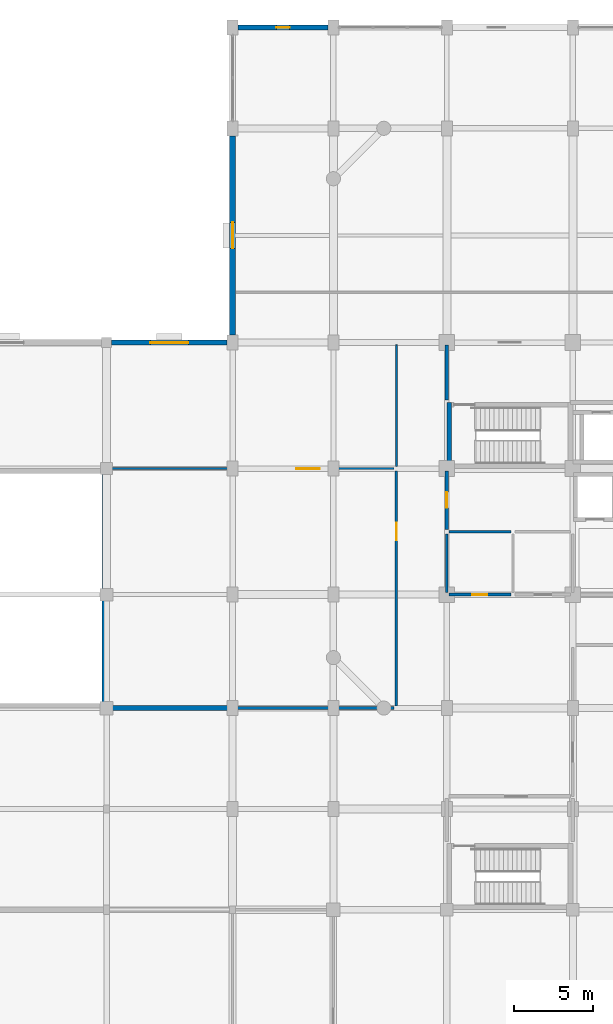
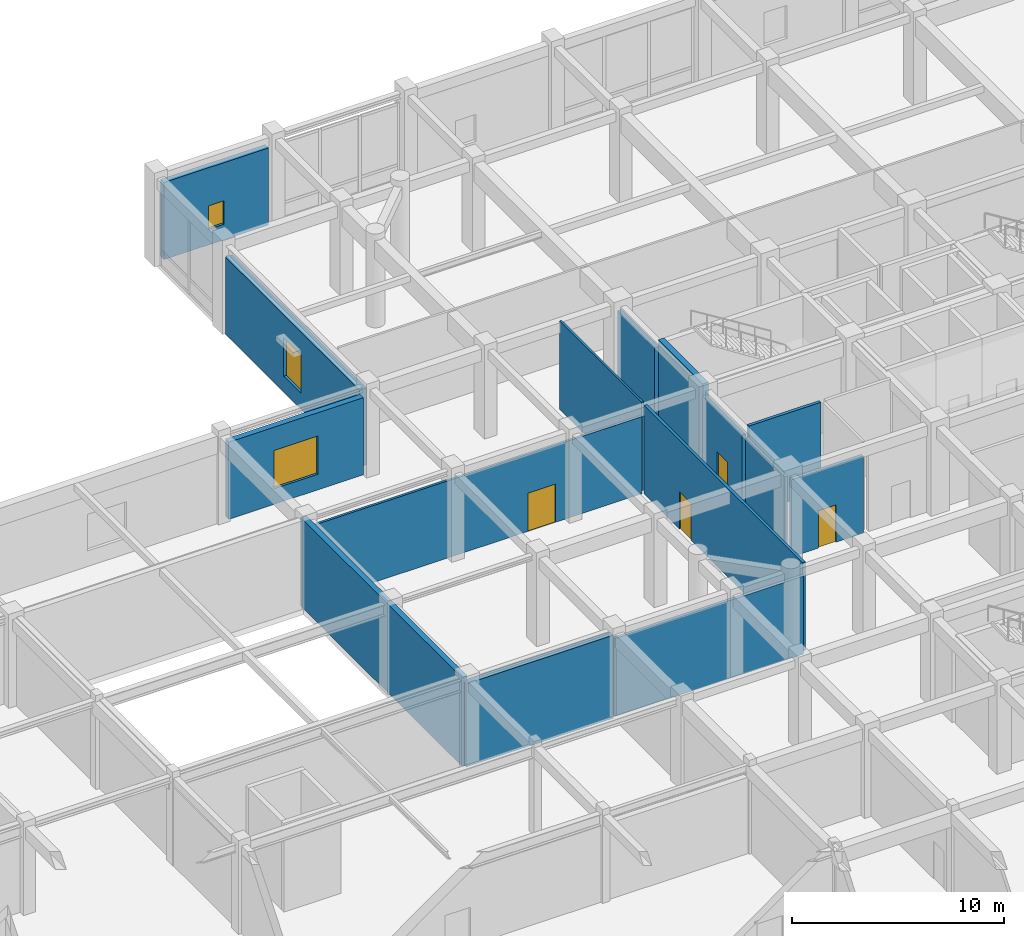
# One storey, part 27 of 36: 15 walls, 4 doors, 3 windows, 7 openings.
"""IFC4 building model written with IfcOpenShell, lengths in metres."""

from ifc_helpers import new_model, si_unit, direction, frame, frame_2d, origin, place, context, subcontext, project, spatial, rectangle, extrude, material, layer, layer_set, type_object, element, fill, save


model = new_model("IFC4")

# Units and contexts
model_context = context("Model", 3, precision=1e-05, world=origin(), true_north=direction((0.0, 1.0)))
body_context = subcontext(model_context, "Body", "Model", "MODEL_VIEW")
ifc_project = project(units=[si_unit("LENGTHUNIT", "METRE"), si_unit("AREAUNIT", "SQUARE_METRE"), si_unit("VOLUMEUNIT", "CUBIC_METRE"), si_unit("PLANEANGLEUNIT", "RADIAN"), si_unit("MASSUNIT", "GRAM", prefix="KILO")], contexts=[model_context])

# Site, building, storey
site_placement = place(None, origin())
site = spatial("IfcSite", under=ifc_project, at=site_placement, CompositionType="ELEMENT")
building_placement = place(site_placement, origin())
building = spatial("IfcBuilding", under=site, at=building_placement, Name="Vellmiral Cinema and Media Centre", CompositionType="ELEMENT")
storey_placement = place(building_placement, frame((0.0, 0.0, 5.39990234375)))
storey = spatial("IfcBuildingStorey", under=building, at=storey_placement, Name="L01", CompositionType="ELEMENT", Elevation=5.39990234375)

# Wall
ifc_material_1 = material(Name="Calcium-Silicate Masonry Blockwork", Category="masonry")
ifc_layer_1 = layer(ifc_material_1, 0.1201171875, Name="Calcium-Silicate Masonry Blockwork", Category="masonry")
ifc_material_2 = material(Name="Mineral Wool Acoustic Insulation", Category="insulation")
ifc_layer_2 = layer(ifc_material_2, 0.090087890625, Name="Mineral Wool Acoustic Insulation", Category="insulation")
ifc_layer_3 = layer(ifc_material_1, 0.1201171875, Name="Calcium-Silicate Masonry Blockwork", Category="masonry")
ifc_layer_set_1 = layer_set([ifc_layer_1, ifc_layer_2, ifc_layer_3], Name="Calcium-Silicate Masonry Blockwork")
wall_type_1 = type_object("IfcWallType", Name="WL-AC-330", PredefinedType="SOLIDWALL", material=ifc_layer_set_1)
wall_1_placement = place(storey_placement, frame((102.239990234375, 72.0, 0.0), z_axis=(0.0, 0.0, 1.0), x_axis=(1.0, 0.0, 0.0)))
element("IfcWall", 1, at=wall_1_placement, inside=storey, type_object=wall_type_1, Name="Broadcast Transmission Control Room B Wall N", PredefinedType="SOLIDWALL", context=body_context, shape_type="SweptSolid", body=[
    extrude(rectangle(XDim=8.02001953125, YDim=0.330078125, at=frame_2d((4.010009765625, 0.0))), origin(), (0.0, 0.0, 1.0), 4.775146484375),
])

# Wall, opening, door
ifc_material_3 = material(Name="Concrete C40/50", Category="concrete")
ifc_layer_4 = layer(ifc_material_3, 0.2099609375, Name="Concrete C40/50")
ifc_layer_set_2 = layer_set([ifc_layer_4], Name="Concrete C40/50")
wall_type_2 = type_object("IfcWallType", Name="WL-COMP-210", PredefinedType="SOLIDWALL", material=ifc_layer_set_2)
wall_2_placement = place(storey_placement, frame((124.0, 83.340087890625, 0.0), z_axis=(0.0, 0.0, 1.0), x_axis=(0.0, 1.0, 0.0)))
wall_2 = element("IfcWall", 2, at=wall_2_placement, inside=storey, type_object=wall_type_2, Name="Electrical and Telecom Riser Room Wall W", PredefinedType="SOLIDWALL", context=body_context, shape_type="SweptSolid", body=[
    extrude(rectangle(XDim=3.719970703125, YDim=0.2099609375, at=frame_2d((1.85986328125, 0.0))), origin(), (0.0, 0.0, 1.0), 4.53515625),
])
opening_1_placement = place(wall_2_placement, frame((1.360107421875, 0.0, 0.0)))
opening_1 = element("IfcOpeningElement", 3, at=opening_1_placement, cuts=wall_2, Name="Opening D-FD30B", PredefinedType="OPENING", context=body_context, shape_type="SweptSolid", body=[
    extrude(rectangle(XDim=1.0, YDim=2.14990234375, at=frame_2d((0.5, 1.074951171875))), frame((0.0, 0.116943359375, 0.0), z_axis=(0.0, -1.0, 0.0), x_axis=(1.0, 0.0, 0.0)), (0.0, 0.0, 1.0), 0.23388671875),
])
ifc_material_4 = material(Name="Steel Riser Fire Door", Category="steel")
door_type_1 = type_object("IfcDoorType", Name="DR-FD30-1000x2150", OperationType="NOTDEFINED", PredefinedType="DOOR", material=ifc_material_4)
door_1_placement = place(opening_1_placement, frame((1.0, 0.0, 0.0), z_axis=(0.0, 0.0, 1.0), x_axis=(-1.0, 0.0, 0.0)))
door_1 = element("IfcDoor", 4, at=door_1_placement, inside=storey, type_object=door_type_1, Name="Electrical and Telecom Riser Room Door", OperationType="SINGLE_SWING_LEFT", OverallHeight=2.14990234375, OverallWidth=1.0, PredefinedType="DOOR", context=body_context, shape_type="SweptSolid", body=[
    extrude(rectangle(XDim=1.0, YDim=2.14990234375, at=frame_2d((0.5, 1.074951171875))), frame((0.0, 0.02490234375, 0.0), z_axis=(0.0, -1.0, 0.0), x_axis=(1.0, 0.0, 0.0)), (0.0, 0.0, 1.0), 0.050048828125),
])
fill(opening_1, door_1)

# Walls
ifc_material_5 = material(Name="Concrete C40/50", Category="concrete")
ifc_layer_5 = layer(ifc_material_5, 0.300048828125, Name="Concrete C40/50")
ifc_layer_set_3 = layer_set([ifc_layer_5], Name="Concrete C40/50")
wall_type_3 = type_object("IfcWallType", Name="WL-CORE-300", PredefinedType="SHEAR", material=ifc_layer_set_3)
wall_3_placement = place(storey_placement, frame((102.25, 72.0, 0.0), z_axis=(0.0, 0.0, 1.0), x_axis=(0.0, 1.0, 0.0)))
element("IfcWall", 5, at=wall_3_placement, inside=storey, type_object=wall_type_3, Name="Broadcast Studio B Acoustic Wall L01-E", PredefinedType="SHEAR", context=body_context, shape_type="SweptSolid", body=[
    extrude(rectangle(XDim=15.199951171875, YDim=0.300048828125, at=frame_2d((7.60009765625, 0.0))), origin(), (0.0, 0.0, 1.0), 5.10009765625),
])
wall_4_placement = place(storey_placement, frame((124.14990234375, 87.199951171875, 0.0), z_axis=(0.0, 0.0, 1.0), x_axis=(0.0, 1.0, 0.0)))
element("IfcWall", 6, at=wall_4_placement, inside=storey, type_object=wall_type_3, Name="Stair Core Wall ST-T1 L01-W", PredefinedType="SHEAR", context=body_context, shape_type="SweptSolid", body=[
    extrude(rectangle(XDim=4.199951171875, YDim=0.300048828125, at=frame_2d((2.10009765625, 0.0))), origin(), (0.0, 0.0, 1.0), 5.10009765625),
])

# Wall, opening, window
ifc_material_6 = material(Name="Polychrome Glazed Ceramic Cladding", Category="masonry")
ifc_layer_6 = layer(ifc_material_6, 0.320068359375, Name="Polychrome Glazed Ceramic Cladding")
ifc_layer_set_4 = layer_set([ifc_layer_6], Name="Polychrome Glazed Ceramic Cladding")
wall_type_4 = type_object("IfcWallType", Name="WL-EXT-BRICK-320", PredefinedType="SOLIDWALL", material=ifc_layer_set_4)
wall_5_placement = place(storey_placement, frame((116.449951171875, 115.199951171875, 0.0), z_axis=(0.0, 0.0, 1.0), x_axis=(-1.0, 0.0, 0.0)))
wall_5 = element("IfcWall", 7, at=wall_5_placement, inside=storey, type_object=wall_type_4, Name="Exterior Facade Wall L01-051", PredefinedType="SOLIDWALL", context=body_context, shape_type="SweptSolid", body=[
    extrude(rectangle(XDim=5.699951171875, YDim=0.320068359375, at=frame_2d((2.85009765625, 0.0))), origin(), (0.0, 0.0, 1.0), 4.440185546875),
])
opening_2_placement = place(wall_5_placement, frame((2.425048828125, 0.0, 0.89990234375)))
opening_2 = element("IfcOpeningElement", 8, at=opening_2_placement, cuts=wall_5, Name="Opening WN-13", PredefinedType="OPENING", context=body_context, shape_type="SweptSolid", body=[
    extrude(rectangle(XDim=0.85009765625, YDim=1.35009765625, at=frame_2d((0.425048828125, 0.675048828125))), frame((0.0, 0.171875, 0.0), z_axis=(0.0, -1.0, 0.0), x_axis=(1.0, 0.0, 0.0)), (0.0, 0.0, 1.0), 0.343994140625),
])
ifc_material_7 = material(Name="Thermally Broken Aluminium Triple Glazing", Category="aluminium")
window_type_1 = type_object("IfcWindowType", Name="WN-0850x1350", PartitioningType="SINGLE_PANEL", PredefinedType="WINDOW", material=ifc_material_7)
window_1_placement = place(opening_2_placement, origin())
window_1 = element("IfcWindow", 9, at=window_1_placement, inside=storey, type_object=window_type_1, Name="Window L01-051", OverallHeight=1.35009765625, OverallWidth=0.85009765625, PartitioningType="SINGLE_PANEL", PredefinedType="WINDOW", context=body_context, shape_type="SweptSolid", body=[
    extrude(rectangle(XDim=0.85009765625, YDim=1.35009765625, at=frame_2d((0.425048828125, 0.675048828125))), frame((0.0, 0.030029296875, 0.0), z_axis=(0.0, -1.0, 0.0), x_axis=(1.0, 0.0, 0.0)), (0.0, 0.0, 1.0), 0.06005859375),
])
fill(opening_2, window_1)

wall_6_placement = place(storey_placement, frame((110.050048828125, 95.199951171875, 0.0), z_axis=(0.0, 0.0, 1.0), x_axis=(-1.0, 0.0, 0.0)))
wall_6 = element("IfcWall", 10, at=wall_6_placement, inside=storey, type_object=wall_type_4, Name="Exterior Facade Wall L01-054", PredefinedType="SOLIDWALL", context=body_context, shape_type="SweptSolid", body=[
    extrude(rectangle(XDim=7.324951171875, YDim=0.320068359375, at=frame_2d((3.66259765625, 0.0))), origin(), (0.0, 0.0, 1.0), 4.440185546875),
])
opening_3_placement = place(wall_6_placement, frame((2.46240234375, 0.0, 0.89990234375)))
opening_3 = element("IfcOpeningElement", 11, at=opening_3_placement, cuts=wall_6, Name="Opening WN-01", PredefinedType="OPENING", context=body_context, shape_type="SweptSolid", body=[
    extrude(rectangle(XDim=2.39990234375, YDim=2.199951171875, at=frame_2d((1.199951171875, 1.10009765625))), frame((0.0, 0.171875, 0.0), z_axis=(0.0, -1.0, 0.0), x_axis=(1.0, 0.0, 0.0)), (0.0, 0.0, 1.0), 0.343994140625),
])
ifc_material_8 = material(Name="Thermally Broken Aluminium Triple Glazing", Category="aluminium")
window_type_2 = type_object("IfcWindowType", Name="WN-2400x2200", PartitioningType="DOUBLE_PANEL_VERTICAL", PredefinedType="WINDOW", material=ifc_material_8)
window_2_placement = place(opening_3_placement, origin())
window_2 = element("IfcWindow", 12, at=window_2_placement, inside=storey, type_object=window_type_2, Name="Window L01-054", OverallHeight=2.199951171875, OverallWidth=2.39990234375, PartitioningType="DOUBLE_PANEL_VERTICAL", PredefinedType="WINDOW", context=body_context, shape_type="SweptSolid", body=[
    extrude(rectangle(XDim=2.39990234375, YDim=2.199951171875, at=frame_2d((1.199951171875, 1.10009765625))), frame((0.0, 0.030029296875, 0.0), z_axis=(0.0, -1.0, 0.0), x_axis=(1.0, 0.0, 0.0)), (0.0, 0.0, 1.0), 0.06005859375),
])
fill(opening_3, window_2)

ifc_material_9 = material(Name="Vosges Red Sandstone Masonry", Category="masonry")
ifc_layer_7 = layer(ifc_material_9, 0.3798828125, Name="Vosges Red Sandstone Masonry")
ifc_layer_set_5 = layer_set([ifc_layer_7], Name="Vosges Red Sandstone Masonry")
wall_type_5 = type_object("IfcWallType", Name="WL-EXT-SAND-380", PredefinedType="SOLIDWALL", material=ifc_layer_set_5)
wall_7_placement = place(storey_placement, frame((110.39990234375, 108.324951171875, 0.0), z_axis=(0.0, 0.0, 1.0), x_axis=(0.0, -1.0, 0.0)))
wall_7 = element("IfcWall", 13, at=wall_7_placement, inside=storey, type_object=wall_type_5, Name="Exterior Facade Wall L01-053", PredefinedType="SOLIDWALL", context=body_context, shape_type="SweptSolid", body=[
    extrude(rectangle(XDim=12.64990234375, YDim=0.3798828125, at=frame_2d((6.324951171875, 0.0))), origin(), (0.0, 0.0, 1.0), 4.425048828125),
])
opening_4_placement = place(wall_7_placement, frame((5.5, 0.0, 0.89990234375)))
opening_4 = element("IfcOpeningElement", 14, at=opening_4_placement, cuts=wall_7, Name="Opening WN-15", PredefinedType="OPENING", context=body_context, shape_type="SweptSolid", body=[
    extrude(rectangle(XDim=1.64990234375, YDim=2.199951171875, at=frame_2d((0.824951171875, 1.10009765625))), frame((0.0, 0.201904296875, 0.0), z_axis=(0.0, -1.0, 0.0), x_axis=(1.0, 0.0, 0.0)), (0.0, 0.0, 1.0), 0.40380859375),
])
ifc_material_10 = material(Name="Thermally Broken Aluminium Triple Glazing", Category="aluminium")
window_type_3 = type_object("IfcWindowType", Name="WN-1650x2200", PartitioningType="TRIPLE_PANEL_HORIZONTAL", PredefinedType="WINDOW", material=ifc_material_10)
window_3_placement = place(opening_4_placement, origin())
window_3 = element("IfcWindow", 15, at=window_3_placement, inside=storey, type_object=window_type_3, Name="Window L01-053", OverallHeight=2.199951171875, OverallWidth=1.64990234375, PartitioningType="TRIPLE_PANEL_HORIZONTAL", PredefinedType="WINDOW", context=body_context, shape_type="SweptSolid", body=[
    extrude(rectangle(XDim=1.64990234375, YDim=2.199951171875, at=frame_2d((0.824951171875, 1.10009765625))), frame((0.0, 0.030029296875, 0.0), z_axis=(0.0, -1.0, 0.0), x_axis=(1.0, 0.0, 0.0)), (0.0, 0.0, 1.0), 0.06005859375),
])
fill(opening_4, window_3)

# Walls
ifc_material_11 = material(Name="Concrete C40/50", Category="concrete")
ifc_layer_8 = layer(ifc_material_11, 0.22998046875, Name="Concrete C40/50")
ifc_layer_set_6 = layer_set([ifc_layer_8], Name="Concrete C40/50")
wall_type_6 = type_object("IfcWallType", Name="WL-FFL-230", PredefinedType="SOLIDWALL", material=ifc_layer_set_6)
wall_8_placement = place(storey_placement, frame((124.0, 91.5400390625, 0.0), z_axis=(0.0, 0.0, 1.0), x_axis=(0.0, 1.0, 0.0)))
element("IfcWall", 16, at=wall_8_placement, inside=storey, type_object=wall_type_6, Name="Firefighting Lobby West Wall W", PredefinedType="SOLIDWALL", context=body_context, shape_type="SweptSolid", body=[
    extrude(rectangle(XDim=3.52001953125, YDim=0.22998046875, at=frame_2d((1.760009765625, 0.0))), origin(), (0.0, 0.0, 1.0), 4.585205078125),
])
ifc_material_12 = material(Name="Gypsum Plasterboard")
ifc_layer_9 = layer(ifc_material_12, 0.02490234375, Name="Gypsum Plasterboard", Category="gypsum")
ifc_material_13 = material(Name="Mineral Wool Acoustic Insulation", Category="insulation")
ifc_layer_10 = layer(ifc_material_13, 0.06005859375, Name="Mineral Wool Acoustic Insulation", Category="insulation")
ifc_layer_11 = layer(ifc_material_12, 0.02490234375, Name="Gypsum Plasterboard", Category="gypsum")
ifc_layer_set_7 = layer_set([ifc_layer_9, ifc_layer_10, ifc_layer_11], Name="Gypsum Plasterboard")
wall_type_7 = type_object("IfcWallType", Name="WL-PART-110", PredefinedType="PARTITIONING", material=ifc_layer_set_7)
wall_9_placement = place(storey_placement, frame((120.800048828125, 87.340087890625, 0.0), z_axis=(0.0, 0.0, 1.0), x_axis=(0.0, 1.0, 0.0)))
element("IfcWall", 17, at=wall_9_placement, inside=storey, type_object=wall_type_7, Name="Media Library Seminar and Study Hall Wall E", PredefinedType="PARTITIONING", context=body_context, shape_type="SweptSolid", body=[
    extrude(rectangle(XDim=7.719970703125, YDim=0.110107421875, at=frame_2d((3.85986328125, 0.0))), origin(), (0.0, 0.0, 1.0), 5.10009765625),
])

# Wall, opening, door
ifc_material_14 = material(Name="Gypsum Plasterboard")
ifc_layer_12 = layer(ifc_material_14, 0.02490234375, Name="Gypsum Plasterboard", Category="gypsum")
ifc_material_15 = material(Name="Mineral Wool Acoustic Insulation", Category="insulation")
ifc_layer_13 = layer(ifc_material_15, 0.080078125, Name="Mineral Wool Acoustic Insulation", Category="insulation")
ifc_layer_14 = layer(ifc_material_14, 0.02490234375, Name="Gypsum Plasterboard", Category="gypsum")
ifc_layer_set_8 = layer_set([ifc_layer_12, ifc_layer_13, ifc_layer_14], Name="Gypsum Plasterboard")
wall_type_8 = type_object("IfcWallType", Name="WL-PART-130", PredefinedType="PARTITIONING", material=ifc_layer_set_8)
wall_10_placement = place(storey_placement, frame((102.239990234375, 87.199951171875, 0.0), z_axis=(0.0, 0.0, 1.0), x_axis=(1.0, 0.0, 0.0)))
wall_10 = element("IfcWall", 18, at=wall_10_placement, inside=storey, type_object=wall_type_8, Name="Media Library Seminar and Study Hall Wall S", PredefinedType="PARTITIONING", context=body_context, shape_type="SweptSolid", body=[
    extrude(rectangle(XDim=18.419921875, YDim=0.1298828125, at=frame_2d((9.2099609375, 0.0))), origin(), (0.0, 0.0, 1.0), 4.43505859375),
])
opening_5_placement = place(wall_10_placement, frame((12.2099609375, 0.0, 0.0)))
opening_5 = element("IfcOpeningElement", 19, at=opening_5_placement, cuts=wall_10, Name="Opening D-I03", PredefinedType="OPENING", context=body_context, shape_type="SweptSolid", body=[
    extrude(rectangle(XDim=1.5, YDim=2.199951171875, at=frame_2d((0.75, 1.10009765625))), frame((0.0, 0.076904296875, 0.0), z_axis=(0.0, -1.0, 0.0), x_axis=(1.0, 0.0, 0.0)), (0.0, 0.0, 1.0), 0.15380859375),
])
ifc_material_16 = material(Name="Laminated Timber Door", Category="wood")
door_type_2 = type_object("IfcDoorType", Name="DR-INT-1500x2200", OperationType="DOUBLE_DOOR_SINGLE_SWING", PredefinedType="DOOR", material=ifc_material_16)
door_2_placement = place(opening_5_placement, origin())
door_2 = element("IfcDoor", 20, at=door_2_placement, inside=storey, type_object=door_type_2, Name="Media Library Seminar and Study Hall Door", OperationType="DOUBLE_DOOR_SINGLE_SWING", OverallHeight=2.199951171875, OverallWidth=1.5, PredefinedType="DOOR", context=body_context, shape_type="SweptSolid", body=[
    extrude(rectangle(XDim=1.5, YDim=2.199951171875, at=frame_2d((0.75, 1.10009765625))), frame((0.0, 0.02490234375, 0.0), z_axis=(0.0, -1.0, 0.0), x_axis=(1.0, 0.0, 0.0)), (0.0, 0.0, 1.0), 0.050048828125),
])
fill(opening_5, door_2)

# Wall
ifc_material_17 = material(Name="Gypsum Plasterboard")
ifc_layer_15 = layer(ifc_material_17, 0.02490234375, Name="Gypsum Plasterboard", Category="gypsum")
ifc_material_18 = material(Name="Mineral Wool Acoustic Insulation", Category="insulation")
ifc_layer_16 = layer(ifc_material_18, 0.10009765625, Name="Mineral Wool Acoustic Insulation", Category="insulation")
ifc_layer_17 = layer(ifc_material_17, 0.02490234375, Name="Gypsum Plasterboard", Category="gypsum")
ifc_layer_set_9 = layer_set([ifc_layer_15, ifc_layer_16, ifc_layer_17], Name="Gypsum Plasterboard")
wall_type_9 = type_object("IfcWallType", Name="WL-PART-150", PredefinedType="PARTITIONING", material=ifc_layer_set_9)
wall_11_placement = place(storey_placement, frame((124.0, 79.340087890625, 0.0), z_axis=(0.0, 0.0, 1.0), x_axis=(0.0, 1.0, 0.0)))
element("IfcWall", 21, at=wall_11_placement, inside=storey, type_object=wall_type_9, Name="Staff WC Wall W", PredefinedType="PARTITIONING", context=body_context, shape_type="SweptSolid", body=[
    extrude(rectangle(XDim=3.719970703125, YDim=0.14990234375, at=frame_2d((1.85986328125, 0.0))), origin(), (0.0, 0.0, 1.0), 4.53515625),
])

# Wall, opening, door
wall_12_placement = place(storey_placement, frame((120.800048828125, 72.139892578125, 0.0), z_axis=(0.0, 0.0, 1.0), x_axis=(0.0, 1.0, 0.0)))
wall_12 = element("IfcWall", 22, at=wall_12_placement, inside=storey, type_object=wall_type_9, Name="Artist Green Room and Dressing Suite Wall E", PredefinedType="PARTITIONING", context=body_context, shape_type="SweptSolid", body=[
    extrude(rectangle(XDim=14.920166015625, YDim=0.14990234375, at=frame_2d((7.4599609375, 0.0))), origin(), (0.0, 0.0, 1.0), 5.10009765625),
])
opening_6_placement = place(wall_12_placement, frame((10.510009765625, 0.0, 0.0)))
opening_6 = element("IfcOpeningElement", 23, at=opening_6_placement, cuts=wall_12, Name="Opening D-I06", PredefinedType="OPENING", context=body_context, shape_type="SweptSolid", body=[
    extrude(rectangle(XDim=1.10009765625, YDim=2.14990234375, at=frame_2d((0.550048828125, 1.074951171875))), frame((0.0, 0.0869140625, 0.0), z_axis=(0.0, -1.0, 0.0), x_axis=(1.0, 0.0, 0.0)), (0.0, 0.0, 1.0), 0.173828125),
])
ifc_material_19 = material(Name="Laminated Timber Door", Category="wood")
door_type_3 = type_object("IfcDoorType", Name="DR-INT-1100x2150", OperationType="NOTDEFINED", PredefinedType="DOOR", material=ifc_material_19)
door_3_placement = place(opening_6_placement, origin())
door_3 = element("IfcDoor", 24, at=door_3_placement, inside=storey, type_object=door_type_3, Name="Artist Green Room and Dressing Suite Door", OperationType="SINGLE_SWING_RIGHT", OverallHeight=2.14990234375, OverallWidth=1.10009765625, PredefinedType="DOOR", context=body_context, shape_type="SweptSolid", body=[
    extrude(rectangle(XDim=1.10009765625, YDim=2.14990234375, at=frame_2d((0.550048828125, 1.074951171875))), frame((0.0, 0.02490234375, 0.0), z_axis=(0.0, -1.0, 0.0), x_axis=(1.0, 0.0, 0.0)), (0.0, 0.0, 1.0), 0.050048828125),
])
fill(opening_6, door_3)

# Walls
ifc_material_20 = material(Name="Gypsum Plasterboard")
ifc_layer_18 = layer(ifc_material_20, 0.02490234375, Name="Gypsum Plasterboard", Category="gypsum")
ifc_material_21 = material(Name="Mineral Wool Acoustic Insulation", Category="insulation")
ifc_layer_19 = layer(ifc_material_21, 0.1201171875, Name="Mineral Wool Acoustic Insulation", Category="insulation")
ifc_layer_20 = layer(ifc_material_20, 0.02490234375, Name="Gypsum Plasterboard", Category="gypsum")
ifc_layer_set_10 = layer_set([ifc_layer_18, ifc_layer_19, ifc_layer_20], Name="Gypsum Plasterboard")
wall_type_10 = type_object("IfcWallType", Name="WL-PART-170", PredefinedType="PARTITIONING", material=ifc_layer_set_10)
wall_13_placement = place(storey_placement, frame((124.139892578125, 83.199951171875, 0.0), z_axis=(0.0, 0.0, 1.0), x_axis=(1.0, 0.0, 0.0)))
element("IfcWall", 25, at=wall_13_placement, inside=storey, type_object=wall_type_10, Name="Staff WC Wall N", PredefinedType="PARTITIONING", context=body_context, shape_type="SweptSolid", body=[
    extrude(rectangle(XDim=3.920166015625, YDim=0.169921875, at=frame_2d((1.9599609375, 0.0))), origin(), (0.0, 0.0, 1.0), 5.10009765625),
])
wall_14_placement = place(storey_placement, frame((110.39990234375, 72.0, 0.0), z_axis=(0.0, 0.0, 1.0), x_axis=(1.0, 0.0, 0.0)))
element("IfcWall", 26, at=wall_14_placement, inside=storey, type_object=wall_type_10, Name="Artist Green Room and Dressing Suite Wall S", PredefinedType="PARTITIONING", context=body_context, shape_type="SweptSolid", body=[
    extrude(rectangle(XDim=10.260009765625, YDim=0.169921875, at=frame_2d((5.1298828125, 0.0))), origin(), (0.0, 0.0, 1.0), 4.485107421875),
])

# Wall, opening, door
ifc_material_22 = material(Name="Gypsum Plasterboard")
ifc_layer_21 = layer(ifc_material_22, 0.02490234375, Name="Gypsum Plasterboard", Category="gypsum")
ifc_material_23 = material(Name="Mineral Wool Acoustic Insulation", Category="insulation")
ifc_layer_22 = layer(ifc_material_23, 0.139892578125, Name="Mineral Wool Acoustic Insulation", Category="insulation")
ifc_layer_23 = layer(ifc_material_22, 0.02490234375, Name="Gypsum Plasterboard", Category="gypsum")
ifc_layer_set_11 = layer_set([ifc_layer_21, ifc_layer_22, ifc_layer_23], Name="Gypsum Plasterboard")
wall_type_11 = type_object("IfcWallType", Name="WL-PART-190", PredefinedType="PARTITIONING", material=ifc_layer_set_11)
wall_15_placement = place(storey_placement, frame((124.139892578125, 79.199951171875, 0.0), z_axis=(0.0, 0.0, 1.0), x_axis=(1.0, 0.0, 0.0)))
wall_15 = element("IfcWall", 27, at=wall_15_placement, inside=storey, type_object=wall_type_11, Name="Staff WC Wall S", PredefinedType="PARTITIONING", context=body_context, shape_type="SweptSolid", body=[
    extrude(rectangle(XDim=3.920166015625, YDim=0.18994140625, at=frame_2d((1.9599609375, 0.0))), origin(), (0.0, 0.0, 1.0), 4.43505859375),
])
opening_7_placement = place(wall_15_placement, frame((1.485107421875, 0.0, 0.0)))
opening_7 = element("IfcOpeningElement", 28, at=opening_7_placement, cuts=wall_15, Name="Opening D-I09", PredefinedType="OPENING", context=body_context, shape_type="SweptSolid", body=[
    extrude(rectangle(XDim=0.949951171875, YDim=2.14990234375, at=frame_2d((0.47509765625, 1.074951171875))), frame((0.0, 0.10693359375, 0.0), z_axis=(0.0, -1.0, 0.0), x_axis=(1.0, 0.0, 0.0)), (0.0, 0.0, 1.0), 0.2138671875),
])
ifc_material_24 = material(Name="Moisture-Resistant Timber Door", Category="wood")
door_type_4 = type_object("IfcDoorType", Name="DR-INT-950x2150", OperationType="NOTDEFINED", PredefinedType="DOOR", material=ifc_material_24)
door_4_placement = place(opening_7_placement, origin())
door_4 = element("IfcDoor", 29, at=door_4_placement, inside=storey, type_object=door_type_4, Name="Staff WC Door", OperationType="SINGLE_SWING_LEFT", OverallHeight=2.14990234375, OverallWidth=0.949951171875, PredefinedType="DOOR", context=body_context, shape_type="SweptSolid", body=[
    extrude(rectangle(XDim=0.949951171875, YDim=2.14990234375, at=frame_2d((0.47509765625, 1.074951171875))), frame((0.0, 0.02490234375, 0.0), z_axis=(0.0, -1.0, 0.0), x_axis=(1.0, 0.0, 0.0)), (0.0, 0.0, 1.0), 0.050048828125),
])
fill(opening_7, door_4)

save(model, "model.ifc")
